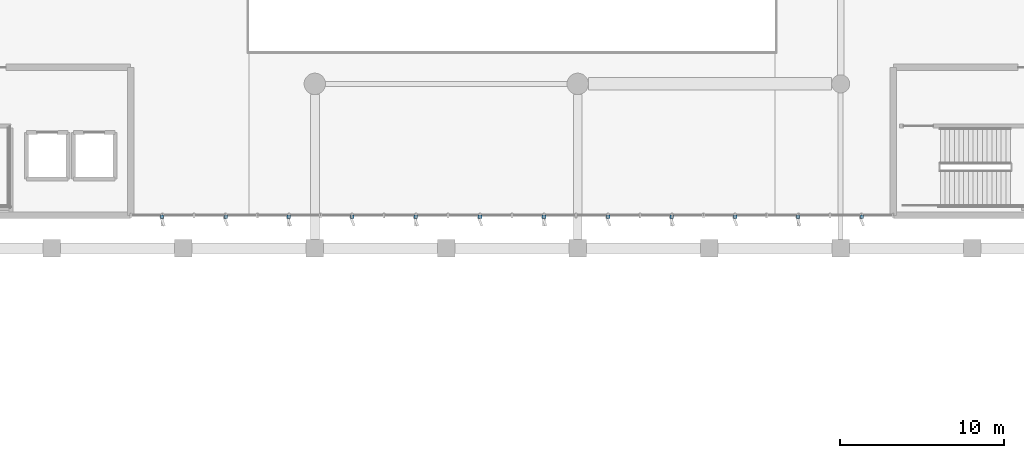
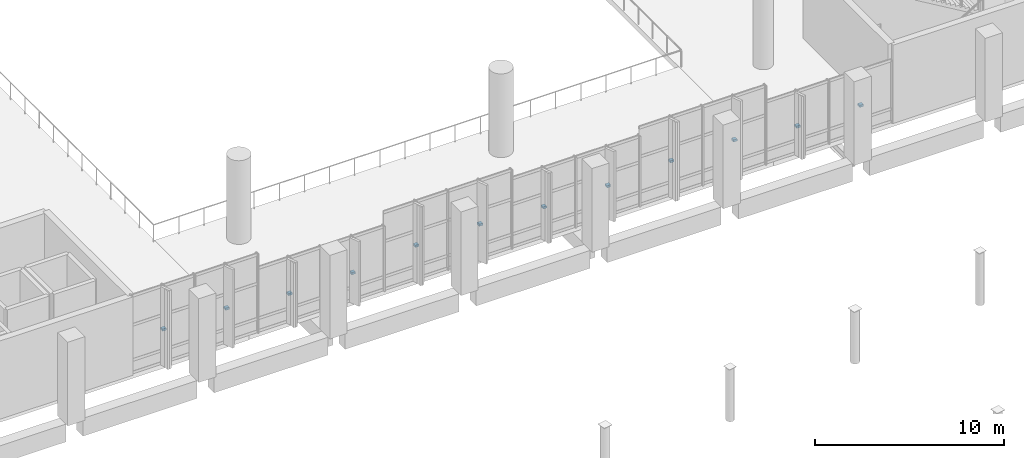
# One storey, part 152 of 176: 12 discrete accessories.
"""IFC4 building model written with IfcOpenShell, lengths in metres."""

from ifc_helpers import new_model, si_unit, direction, frame, origin, origin_2d, place, context, subcontext, project, spatial, rectangle, extrude, material, type_object, element, save


model = new_model("IFC4")

# Units and contexts
model_context = context("Model", 3, precision=1e-05, world=origin(), true_north=direction((0.0, 1.0)))
body_context = subcontext(model_context, "Body", "Model", "MODEL_VIEW")
ifc_project = project(units=[si_unit("LENGTHUNIT", "METRE"), si_unit("AREAUNIT", "SQUARE_METRE"), si_unit("VOLUMEUNIT", "CUBIC_METRE"), si_unit("PLANEANGLEUNIT", "RADIAN"), si_unit("MASSUNIT", "GRAM", prefix="KILO")], contexts=[model_context])

# Site, building, storey
site_placement = place(None, origin())
site = spatial("IfcSite", under=ifc_project, at=site_placement, CompositionType="ELEMENT")
building_placement = place(site_placement, origin())
building = spatial("IfcBuilding", under=site, at=building_placement, Name="Khorjan Park Terminus", CompositionType="ELEMENT")
storey_placement = place(building_placement, frame((0.0, 0.0, 6.0)))
storey = spatial("IfcBuildingStorey", under=building, at=storey_placement, Name="L01", CompositionType="ELEMENT", Elevation=6.0)

# Discrete accessories
ifc_material = material(Name="Steel S355", Category="steel")
discrete_accessory_type = type_object("IfcDiscreteAccessoryType", Name="ACC-BRK-FIN", PredefinedType="BRACKET", material=ifc_material)
for number, where, z_axis, x_axis, name in (
    (1, (70.725, 27.91, 2.1913), (0.0, 0.0, 1.0), (1.0, 0.0, 0.0), "Solar fin structural bracket BK-01 (CW-V2-S-L01-02-1)"),
    (2, (74.575, 27.91, 2.1913), (0.0, 0.0, 1.0), (1.0, 0.0, 0.0), "Solar fin structural bracket BK-01 (CW-V2-S-L01-02-3)"),
    (3, (78.425, 27.91, 1.7907), (0.0, 0.0, 1.0), (1.0, 0.0, 0.0), "Solar fin structural bracket BK-01 (CW-V2-S-L01-03-1)"),
    (4, (82.275, 27.91, 1.7907), (0.0, 0.0, 1.0), (1.0, 0.0, 0.0), "Solar fin structural bracket BK-01 (CW-V2-S-L01-03-3)"),
    (5, (86.15, 27.91, 2.2003), (0.0, 0.0, 1.0), (1.0, 0.0, 0.0), "Solar fin structural bracket BK-01 (CW-V2-S-L01-04-1)"),
    (6, (90.05, 27.91, 2.2003), (0.0, 0.0, 1.0), (1.0, 0.0, 0.0), "Solar fin structural bracket BK-01 (CW-V2-S-L01-04-3)"),
    (7, (93.95, 27.91, 1.9483), (0.0, 0.0, 1.0), (1.0, 0.0, 0.0), "Solar fin structural bracket BK-01 (CW-V2-S-L01-05-1)"),
    (8, (97.85, 27.91, 1.9483), (0.0, 0.0, 1.0), (1.0, 0.0, 0.0), "Solar fin structural bracket BK-01 (CW-V2-S-L01-05-3)"),
    (9, (101.725, 27.91, 2.2003), (0.0, 0.0, 1.0), (1.0, 0.0, 0.0), "Solar fin structural bracket BK-01 (CW-V2-S-L01-06-1)"),
    (10, (105.575, 27.91, 2.2003), (0.0, 0.0, 1.0), (1.0, 0.0, 0.0), "Solar fin structural bracket BK-01 (CW-V2-S-L01-06-3)"),
    (11, (109.425, 27.91, 1.7368), (0.0, 0.0, 1.0), (1.0, 0.0, 0.0), "Solar fin structural bracket BK-01 (CW-V2-S-L01-07-1)"),
    (12, (113.275, 27.91, 1.7368), (0.0, 0.0, 1.0), (1.0, 0.0, 0.0), "Solar fin structural bracket BK-01 (CW-V2-S-L01-07-3)"),
):
    element("IfcDiscreteAccessory", number, at=place(storey_placement, frame(where, z_axis=z_axis, x_axis=x_axis)), inside=storey, type_object=discrete_accessory_type, Name=name, PredefinedType="BRACKET", context=body_context, shape_type="SweptSolid", body=[
        extrude(rectangle(XDim=0.22, YDim=0.22, at=origin_2d()), origin(), (0.0, 0.0, 1.0), 0.14),
    ])

save(model, "model.ifc")
